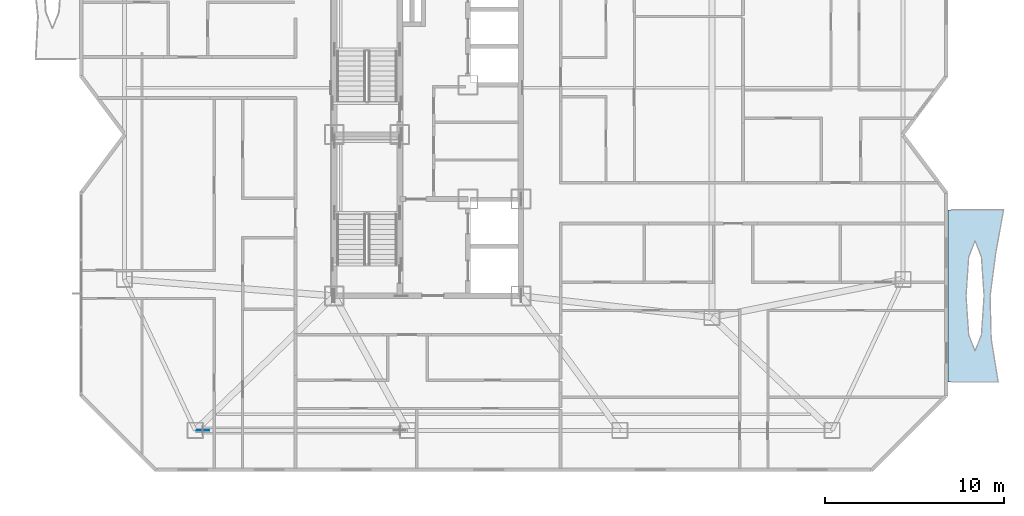
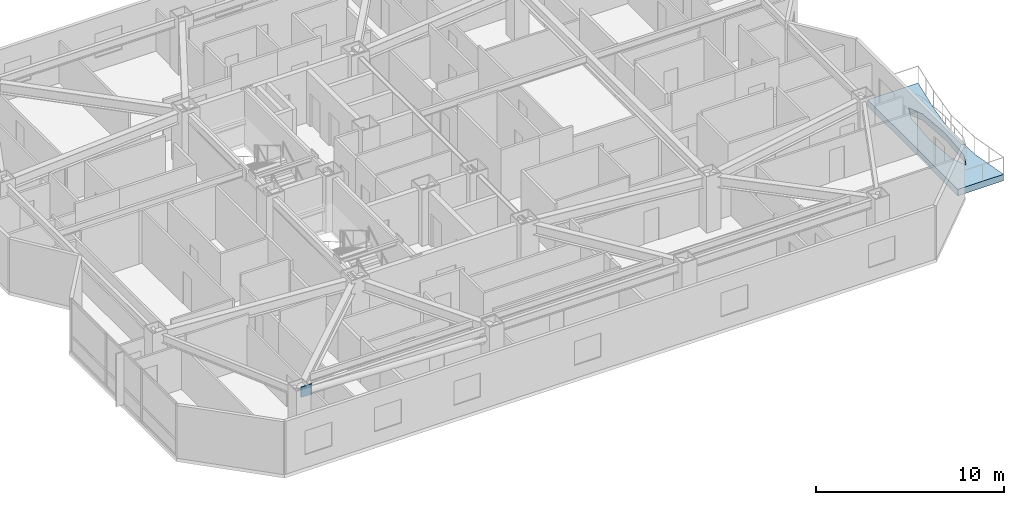
# One storey, part 7 of 17: 1 plate, 1 slab.
"""IFC4 building model written with IfcOpenShell, lengths in metres."""

from ifc_helpers import new_model, si_unit, direction, frame, origin, origin_2d, place, context, subcontext, project, spatial, polyline, rectangle, outline, extrude, material, layer, layer_set, type_object, element, save


model = new_model("IFC4")

# Units and contexts
model_context = context("Model", 3, precision=1e-05, world=origin(), true_north=direction((0.0, 1.0)))
body_context = subcontext(model_context, "Body", "Model", "MODEL_VIEW")
ifc_project = project(units=[si_unit("LENGTHUNIT", "METRE"), si_unit("AREAUNIT", "SQUARE_METRE"), si_unit("VOLUMEUNIT", "CUBIC_METRE"), si_unit("PLANEANGLEUNIT", "RADIAN"), si_unit("MASSUNIT", "GRAM", prefix="KILO")], contexts=[model_context])

# Site, building, storey
site_placement = place(None, origin())
site = spatial("IfcSite", under=ifc_project, at=site_placement, CompositionType="ELEMENT")
building_placement = place(site_placement, origin())
building = spatial("IfcBuilding", under=site, at=building_placement, Name="Khamvora Tower", CompositionType="ELEMENT")
storey_placement = place(building_placement, frame((0.0, 0.0, 192.39990234375)))
storey = spatial("IfcBuildingStorey", under=building, at=storey_placement, Name="L49", CompositionType="ELEMENT", Elevation=192.39990234375)

# Plate
ifc_material_1 = material(Name="Steel S460", Category="steel")
ifc_layer_1 = layer(ifc_material_1, 0.0400390625)
ifc_layer_set_1 = layer_set([ifc_layer_1], Name="Steel S460")
plate_type = type_object("IfcPlateType", Name="PLT-GUS-40", PredefinedType="SHEET", material=ifc_layer_set_1)
plate_placement = place(storey_placement, frame((21.679931640625, 11.5, 2.80419921875), z_axis=(0.0, 0.0, 1.0), x_axis=(1.0, 0.0, 0.0)))
element("IfcPlate", 1, at=plate_placement, inside=storey, type_object=plate_type, Name="L49 brace connection node gusset plate 0314", PredefinedType="SHEET", context=body_context, shape_type="SweptSolid", body=[
    extrude(rectangle(XDim=0.679931640625, YDim=0.0400390625, at=origin_2d()), origin(), (0.0, 0.0, 1.0), 0.679931640625),
])

# Slab
ifc_material_2 = material(Name="Concrete C40/50", Category="concrete")
ifc_layer_2 = layer(ifc_material_2, 0.419921875)
ifc_layer_set_2 = layer_set([ifc_layer_2], Name="Concrete C40/50")
slab_type = type_object("IfcSlabType", Name="SLB-GRD-420", PredefinedType="FLOOR", material=ifc_layer_set_2)
slab_placement = place(storey_placement, frame((0.0, 0.0, -0.419921875)))
element("IfcSlab", 2, at=slab_placement, inside=storey, type_object=slab_type, Name="L49 external lens gallery slab EL1", PredefinedType="FLOOR", context=body_context, shape_type="SweptSolid", body=[
    extrude(outline(polyline([(66.0048828125, 14.199951171875), (65.614013671875, 16.60009765625), (65.551025390625, 19.0), (65.868896484375, 21.39990234375), (66.304931640625, 23.800048828125), (63.199951171875, 23.800048828125), (63.199951171875, 14.199951171875), (66.0048828125, 14.199951171875)]), holes=[polyline([(65.218994140625, 19.0), (65.071044921875, 21.172119140625), (64.715087890625, 22.072021484375), (64.35888671875, 21.172119140625), (64.2109375, 19.0), (64.35888671875, 16.827880859375), (64.715087890625, 15.927978515625), (65.071044921875, 16.827880859375), (65.218994140625, 19.0)])]), origin(), (0.0, 0.0, 1.0), 0.419921875),
])

save(model, "model.ifc")
